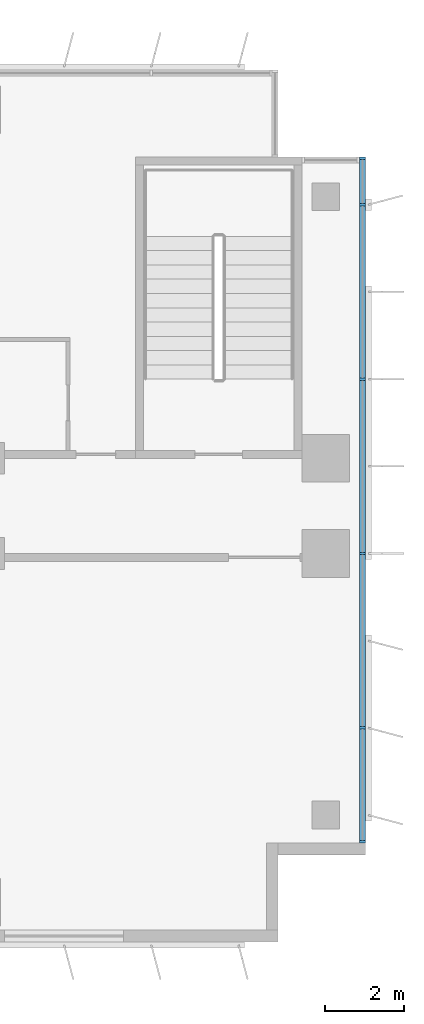
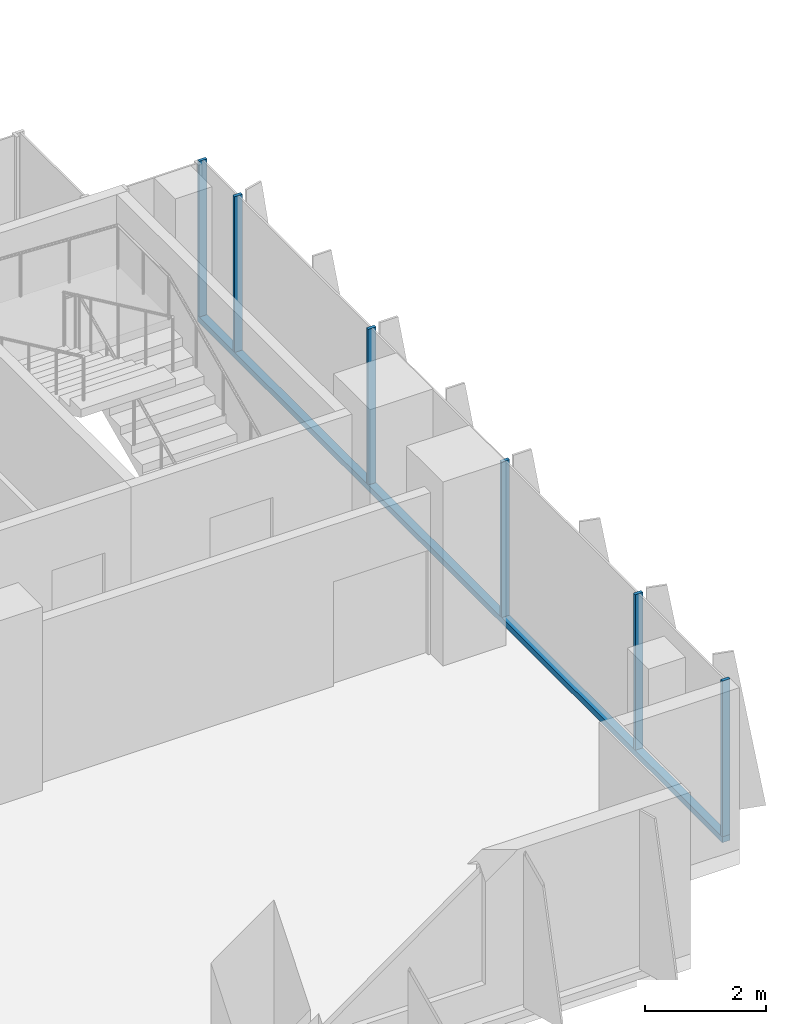
# One storey, part 8 of 22: 7 members, 1 element without a shape of its own.
"""IFC4 building model written with IfcOpenShell, lengths in metres."""

import ifcopenshell
import ifcopenshell.guid

model = None  # the IFC model being written
_history = None  # IfcOwnerHistory: only IFC2X3 demands one
_inside = {}  # id of a spatial element -> (the spatial element, [elements in it])
_under = {}  # id of a project, library or spatial element -> (it, [spatial elements below it])
_declared = {}  # id of a project -> (the project, [libraries it declares])
_typed = {}  # id of a type object -> (the type object, [elements of that type])
_made_of = {}  # id of a material, layer set ... -> (it, [elements and type objects made of it])


def new_model(schema):
    """Start an empty IFC model of exactly this schema.

    Asked for "IFC4X3", IfcOpenShell would pick the latest addendum, in which some entities
    have other attributes; the version numbers below select the first issue.
    IFC2X3 requires an IfcOwnerHistory on every rooted entity: one is made here for all.
    """
    global model, _history
    if schema == "IFC4X3":
        model = ifcopenshell.file(schema_version=(4, 3, 0, 0))
    else:
        model = ifcopenshell.file(schema=schema)
    _inside.clear()
    _under.clear()
    _declared.clear()
    _typed.clear()
    _made_of.clear()
    _history = None
    if model.schema == "IFC2X3":
        org = make("IfcOrganization", Name="unknown")
        user = make(
            "IfcPersonAndOrganization",
            ThePerson=make("IfcPerson", FamilyName="unknown"),
            TheOrganization=org,
        )
        app = make(
            "IfcApplication",
            ApplicationDeveloper=org,
            Version="unknown",
            ApplicationFullName="unknown",
            ApplicationIdentifier="unknown",
        )
        _history = make(
            "IfcOwnerHistory",
            OwningUser=user,
            OwningApplication=app,
            ChangeAction="ADDED",
            CreationDate=0,
        )
    return model


def make(cls, **values):
    """One entity of the class cls with the attributes given. An attribute that is None is left unset."""
    return model.create_entity(
        cls, **{name: value for name, value in values.items() if value is not None}
    )


def rooted(cls, **values):
    """An entity with a GlobalId (a new one), such as an element, a storey or a relation."""
    return make(cls, GlobalId=ifcopenshell.guid.new(), OwnerHistory=_history, **values)


def si_unit(unit_type, name, prefix=None):
    """IfcSIUnit, for example si_unit("LENGTHUNIT", "METRE", prefix="MILLI")."""
    return make("IfcSIUnit", UnitType=unit_type, Prefix=prefix, Name=name)


def assignment(units):
    """IfcUnitAssignment: the units of a project."""
    return None if units is None else make("IfcUnitAssignment", Units=units)


def point(xyz):
    """IfcCartesianPoint."""
    return None if xyz is None else make("IfcCartesianPoint", Coordinates=xyz)


def direction(xyz):
    """IfcDirection."""
    return None if xyz is None else make("IfcDirection", DirectionRatios=xyz)


def frame(location, z_axis=None, x_axis=None):
    """IfcAxis2Placement3D, a coordinate frame: its origin and axes. An axis left out is left unset."""
    return make(
        "IfcAxis2Placement3D",
        Location=point(location),
        Axis=direction(z_axis),
        RefDirection=direction(x_axis),
    )


def frame_2d(location, x_axis=None):
    """IfcAxis2Placement2D, a coordinate frame in the plane: its origin and x axis."""
    return make(
        "IfcAxis2Placement2D", Location=point(location), RefDirection=direction(x_axis)
    )


def origin():
    """The frame at (0, 0, 0) with its axes left unset."""
    return frame((0.0, 0.0, 0.0))


def origin_2d():
    """The frame at (0, 0) in the plane with its x axis left unset."""
    return frame_2d((0.0, 0.0))


def place(relative_to, where):
    """IfcLocalPlacement: puts the frame where relative to a parent placement (None: the world)."""
    return make(
        "IfcLocalPlacement", PlacementRelTo=relative_to, RelativePlacement=where
    )


def context(
    kind, dimensions, precision=None, world=None, true_north=None, identifier=None
):
    """IfcGeometricRepresentationContext, for example the 3D "Model" context."""
    return make(
        "IfcGeometricRepresentationContext",
        ContextIdentifier=identifier,
        ContextType=kind,
        CoordinateSpaceDimension=dimensions,
        Precision=precision,
        WorldCoordinateSystem=world,
        TrueNorth=true_north,
    )


def subcontext(parent, identifier, kind, view, scale=None):
    """IfcGeometricRepresentationSubContext, for example "Body" below "Model"."""
    return make(
        "IfcGeometricRepresentationSubContext",
        ContextIdentifier=identifier,
        ContextType=kind,
        ParentContext=parent,
        TargetScale=scale,
        TargetView=view,
    )


def project(units=None, contexts=None):
    """IfcProject with its units and contexts."""
    return rooted(
        "IfcProject",
        Name="project",
        RepresentationContexts=contexts,
        UnitsInContext=assignment(units),
    )


def spatial(cls, under=None, at=None, **own):
    """A site, building, storey or space (cls), placed at a placement, below another one or the project."""
    s = rooted(cls, ObjectPlacement=at, **own)
    if under is not None:
        _under.setdefault(under.id(), (under, []))[1].append(s)
    return s


def profile(cls, at=None, kind="AREA", **sizes):
    """A parametric profile (cls). Its sizes go by their IFC names, for example OverallWidth=200.0."""
    return make(cls, ProfileType=kind, Position=at, **sizes)


def rectangle(**sizes):
    """IfcRectangleProfileDef."""
    return profile("IfcRectangleProfileDef", **sizes)


def extrude(swept, where, along, depth):
    """IfcExtrudedAreaSolid: the profile swept, set in the frame where, extruded along a direction by depth."""
    return make(
        "IfcExtrudedAreaSolid",
        SweptArea=swept,
        Position=where,
        ExtrudedDirection=direction(along),
        Depth=depth,
    )


def shape(context_of_items, identifier, shape_type, items):
    """IfcShapeRepresentation: the items that make up one representation, for example the "Body"."""
    return make(
        "IfcShapeRepresentation",
        ContextOfItems=context_of_items,
        RepresentationIdentifier=identifier,
        RepresentationType=shape_type,
        Items=items,
    )


def source(mapping_origin, context_of_items, identifier, shape_type, items):
    """IfcRepresentationMap: a shape defined once, which mapped items show again and again."""
    return make(
        "IfcRepresentationMap",
        MappingOrigin=mapping_origin,
        MappedRepresentation=shape(context_of_items, identifier, shape_type, items),
    )


def transform(
    local_origin,
    x_axis=None,
    y_axis=None,
    z_axis=None,
    scale=None,
    scale2=None,
    scale3=None,
    uniform=True,
):
    """IfcCartesianTransformationOperator3D, or its non-uniform kind. x_axis, y_axis, z_axis: its Axis1, 2, 3."""
    if uniform:
        return make(
            "IfcCartesianTransformationOperator3D",
            Axis1=direction(x_axis),
            Axis2=direction(y_axis),
            LocalOrigin=point(local_origin),
            Scale=scale,
            Axis3=direction(z_axis),
        )
    return make(
        "IfcCartesianTransformationOperator3DnonUniform",
        Axis1=direction(x_axis),
        Axis2=direction(y_axis),
        LocalOrigin=point(local_origin),
        Scale=scale,
        Axis3=direction(z_axis),
        Scale2=scale2,
        Scale3=scale3,
    )


def mapped(mapping_source, mapping_target):
    """IfcMappedItem: shows the shape of a source again, moved by a transform."""
    return make(
        "IfcMappedItem", MappingSource=mapping_source, MappingTarget=mapping_target
    )


def material(Name=None, Category=None):
    """IfcMaterial."""
    return make("IfcMaterial", Name=Name, Category=Category)


def material_profile(
    of_material, cross_section, Name=None, Category=None, Priority=None
):
    """IfcMaterialProfile: a cross section and its material."""
    return make(
        "IfcMaterialProfile",
        Name=Name,
        Material=of_material,
        Profile=cross_section,
        Priority=Priority,
        Category=Category,
    )


def profile_set(profiles, Name=None, composite=None):
    """IfcMaterialProfileSet."""
    return make(
        "IfcMaterialProfileSet",
        Name=Name,
        MaterialProfiles=profiles,
        CompositeProfile=composite,
    )


def made_of(thing, what):
    """Note that an element or type object is made of a material, layer set ...; save() writes the relation."""
    if what is not None:
        _made_of.setdefault(what.id(), (what, []))[1].append(thing)
    return thing


def type_object(cls, material=None, **own):
    """A type object (cls), such as IfcWallType, which elements share."""
    return made_of(rooted(cls, **own), material)


def element(
    cls,
    number,
    at=None,
    inside=None,
    cuts=None,
    type_object=None,
    material=None,
    context=None,
    identifier="Body",
    shape_type=None,
    held_by="IfcProductDefinitionShape",
    body=None,
    shapes=None,
    **own,
):
    """One element of the class cls, such as IfcWall. Its Tag is "e" and its number.

    at: its placement. inside: the storey or other place that contains it. cuts: it is an
    opening in that element (IfcRelVoidsElement). A single representation is given by context,
    identifier, shape_type and body (its items); several are given by shapes. held_by: the class
    of the entity that holds the representations. save() writes the other relations.
    """
    e = rooted(cls, Tag="e%d" % number, ObjectPlacement=at, **own)
    if body is not None:
        shapes = [shape(context, identifier, shape_type, body)]
    if shapes is not None:
        e.Representation = make(held_by, Representations=shapes)
    if inside is not None:
        _inside.setdefault(inside.id(), (inside, []))[1].append(e)
    if cuts is not None:
        rooted(
            "IfcRelVoidsElement", RelatingBuildingElement=cuts, RelatedOpeningElement=e
        )
    if type_object is not None:
        _typed.setdefault(type_object.id(), (type_object, []))[1].append(e)
    return made_of(e, material)


def aggregate(whole, parts):
    """IfcRelAggregates: a whole, such as a stair, and the parts it consists of."""
    return rooted("IfcRelAggregates", RelatingObject=whole, RelatedObjects=parts)


def save(model, path):
    """Write the relations noted so far, then the file.

    IfcRelAggregates (storeys below a building ...), IfcRelContainedInSpatialStructure (elements
    in a storey), IfcRelDefinesByType, IfcRelAssociatesMaterial and IfcRelDeclares: one each for
    every whole, place, type object, material and project.
    """
    for whole, parts in _under.values():
        aggregate(whole, parts)
    for where, things in _inside.values():
        rooted(
            "IfcRelContainedInSpatialStructure",
            RelatedElements=things,
            RelatingStructure=where,
        )
    for kind, things in _typed.values():
        rooted("IfcRelDefinesByType", RelatedObjects=things, RelatingType=kind)
    for what, things in _made_of.values():
        rooted("IfcRelAssociatesMaterial", RelatedObjects=things, RelatingMaterial=what)
    for by, libraries in _declared.values():
        rooted("IfcRelDeclares", RelatingContext=by, RelatedDefinitions=libraries)
    model.write(path)


model = new_model("IFC4")

# Units and contexts
model_context = context("Model", 3, precision=1e-05, world=origin(), true_north=direction((0.0, 1.0)))
body_context = subcontext(model_context, "Body", "Model", "MODEL_VIEW")
ifc_project = project(units=[si_unit("LENGTHUNIT", "METRE"), si_unit("AREAUNIT", "SQUARE_METRE"), si_unit("VOLUMEUNIT", "CUBIC_METRE"), si_unit("PLANEANGLEUNIT", "RADIAN"), si_unit("MASSUNIT", "GRAM", prefix="KILO")], contexts=[model_context])

# Site, building, storey
site_placement = place(None, origin())
site = spatial("IfcSite", under=ifc_project, at=site_placement, CompositionType="ELEMENT")
building_placement = place(site_placement, origin())
building = spatial("IfcBuilding", under=site, at=building_placement, Name="Kemantara Hotel Tower", CompositionType="ELEMENT")
storey_placement = place(building_placement, frame((0.0, 0.0, 129.60009765625)))
storey = spatial("IfcBuildingStorey", under=building, at=storey_placement, Name="L31", CompositionType="ELEMENT", Elevation=129.60009765625)

# Curtain wall, members
ifc_material_1 = material(Name="Low-E tinted double insulated glass 36 mm", Category="glass")
curtain_wall_type = type_object("IfcCurtainWallType", Name="TOWER CURTAIN WALL, FRONT FACES", PredefinedType="USERDEFINED", material=ifc_material_1)
curtain_wall_placement = place(storey_placement, origin())
curtain_wall = element("IfcCurtainWall", 1, at=curtain_wall_placement, inside=storey, type_object=curtain_wall_type, Name="CW4 L31 T2-R10-1", ObjectType="TOWER CURTAIN WALL, FRONT FACES", PredefinedType="USERDEFINED")
ifc_material_2 = material(Name="Aluminium 6063-T6 bronze anodised", Category="aluminium")
ifc_material_profile_1 = material_profile(ifc_material_2, rectangle(XDim=0.14990234375, YDim=0.1201171875, at=origin_2d()), Name="TOWER CURTAIN WALL, FRONT FACES TRANSOM")
ifc_profile_set_1 = profile_set([ifc_material_profile_1], Name="Aluminium 6063-T6 bronze anodised")
member_type_1 = type_object("IfcMemberType", Name="TOWER CURTAIN WALL, FRONT FACES TRANSOM", PredefinedType="USERDEFINED", material=ifc_profile_set_1)
member_1_placement = place(storey_placement, frame((63.52490234375, 2.5, 0.059814453125), z_axis=(0.0, 1.0, 0.0), x_axis=(-1.0, 0.0, 0.0)))
member_1 = element("IfcMember", 2, at=member_1_placement, type_object=member_type_1, Name="CW4 sill transom T2-R10-1", ObjectType="TRANSOM", PredefinedType="USERDEFINED", context=body_context, shape_type="SweptSolid", body=[
    extrude(rectangle(XDim=0.14990234375, YDim=0.1201171875, at=origin_2d()), origin(), (0.0, 0.0, 1.0), 17.300048828125),
])
ifc_material_profile_2 = material_profile(ifc_material_2, rectangle(XDim=0.14990234375, YDim=0.06005859375, at=origin_2d()), Name="TOWER CURTAIN WALL, FRONT FACES MULLION")
ifc_profile_set_2 = profile_set([ifc_material_profile_2], Name="Aluminium 6063-T6 bronze anodised")
member_type_2 = type_object("IfcMemberType", Name="TOWER CURTAIN WALL, FRONT FACES MULLION", PredefinedType="MULLION", material=ifc_profile_set_2)
shared_shape = source(origin(), body_context, "Body", "SweptSolid", [
    extrude(rectangle(XDim=0.14990234375, YDim=0.06005859375, at=origin_2d()), origin(), (0.0, 0.0, 1.0), 3.130126953125),
])
member_2_placement = place(storey_placement, frame((63.52490234375, 2.530029296875, 0.119873046875), z_axis=(0.0, 0.0, 1.0), x_axis=(-1.0, 0.0, 0.0)))
member_2 = element("IfcMember", 3, at=member_2_placement, type_object=member_type_2, Name="CW4 mullion T2-R10-1.1", PredefinedType="MULLION", context=body_context, shape_type="MappedRepresentation", body=[
    mapped(shared_shape, transform((0.0, 0.0, 0.0))),
])
member_3_placement = place(storey_placement, frame((63.52490234375, 5.39990234375, 0.119873046875), z_axis=(0.0, 0.0, 1.0), x_axis=(-1.0, 0.0, 0.0)))
member_3 = element("IfcMember", 4, at=member_3_placement, type_object=member_type_2, Name="CW4 mullion T2-R10-1.2", PredefinedType="MULLION", context=body_context, shape_type="MappedRepresentation", body=[
    mapped(shared_shape, transform((0.0, 0.0, 0.0))),
])
member_4_placement = place(storey_placement, frame((63.52490234375, 9.800048828125, 0.119873046875), z_axis=(0.0, 0.0, 1.0), x_axis=(-1.0, 0.0, 0.0)))
member_4 = element("IfcMember", 5, at=member_4_placement, type_object=member_type_2, Name="CW4 mullion T2-R10-1.3", PredefinedType="MULLION", context=body_context, shape_type="MappedRepresentation", body=[
    mapped(shared_shape, transform((0.0, 0.0, 0.0))),
])
member_5_placement = place(storey_placement, frame((63.52490234375, 14.199951171875, 0.119873046875), z_axis=(0.0, 0.0, 1.0), x_axis=(-1.0, 0.0, 0.0)))
member_5 = element("IfcMember", 6, at=member_5_placement, type_object=member_type_2, Name="CW4 mullion T2-R10-1.4", PredefinedType="MULLION", context=body_context, shape_type="MappedRepresentation", body=[
    mapped(shared_shape, transform((0.0, 0.0, 0.0))),
])
member_6_placement = place(storey_placement, frame((63.52490234375, 18.60009765625, 0.119873046875), z_axis=(0.0, 0.0, 1.0), x_axis=(-1.0, 0.0, 0.0)))
member_6 = element("IfcMember", 7, at=member_6_placement, type_object=member_type_2, Name="CW4 mullion T2-R10-1.5", PredefinedType="MULLION", context=body_context, shape_type="MappedRepresentation", body=[
    mapped(shared_shape, transform((0.0, 0.0, 0.0))),
])
member_7_placement = place(storey_placement, frame((63.52490234375, 19.77001953125, 0.119873046875), z_axis=(0.0, 0.0, 1.0), x_axis=(-1.0, 0.0, 0.0)))
member_7 = element("IfcMember", 8, at=member_7_placement, type_object=member_type_2, Name="CW4 mullion T2-R10-1.6", PredefinedType="MULLION", context=body_context, shape_type="MappedRepresentation", body=[
    mapped(shared_shape, transform((0.0, 0.0, 0.0))),
])
aggregate(curtain_wall, [member_1, member_2, member_3, member_4, member_5, member_6, member_7])

save(model, "model.ifc")
